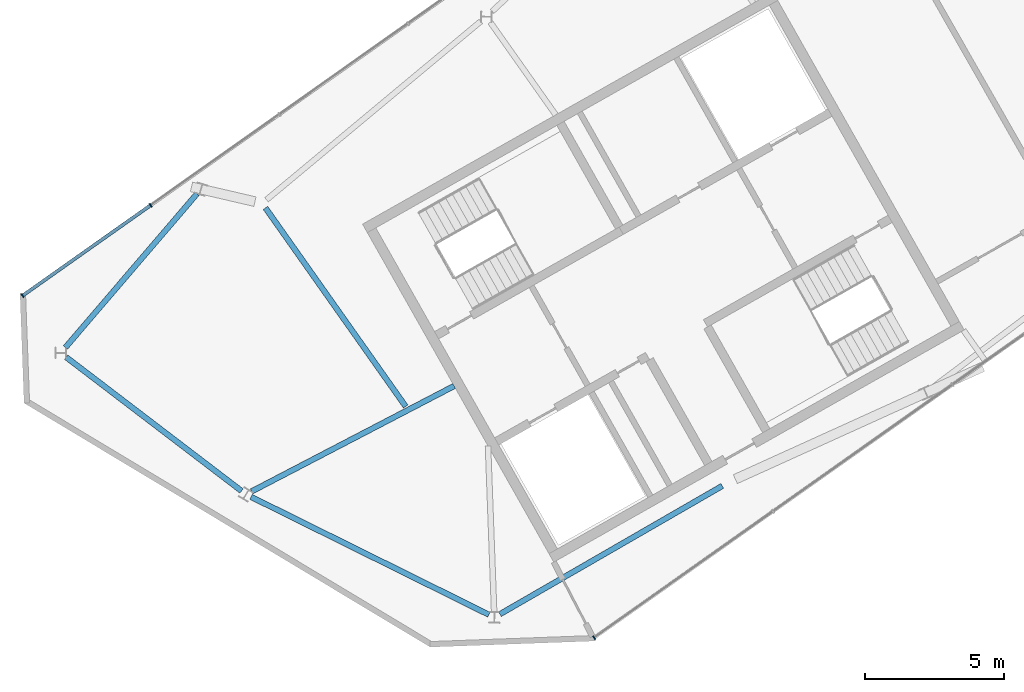
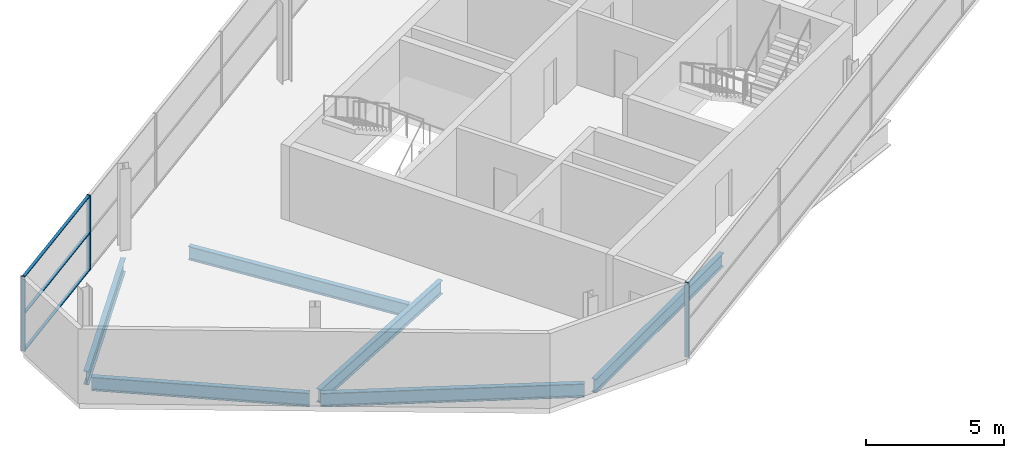
# One storey, part 3 of 11: 6 beams, 6 members, 2 elements without a shape of their own.
"""IFC4 building model written with IfcOpenShell, lengths in metres."""

from ifc_helpers import new_model, si_unit, direction, frame, origin, origin_2d, place, context, subcontext, project, spatial, rectangle, i_section, extrude, material, material_profile, profile_set, type_object, element, aggregate, save


model = new_model("IFC4")

# Units and contexts
model_context = context("Model", 3, precision=1e-05, world=origin(), true_north=direction((0.0, 1.0)))
body_context = subcontext(model_context, "Body", "Model", "MODEL_VIEW")
ifc_project = project(units=[si_unit("LENGTHUNIT", "METRE"), si_unit("AREAUNIT", "SQUARE_METRE"), si_unit("VOLUMEUNIT", "CUBIC_METRE"), si_unit("PLANEANGLEUNIT", "RADIAN"), si_unit("MASSUNIT", "GRAM", prefix="KILO")], contexts=[model_context])

# Site, building, storey
site_placement = place(None, origin())
site = spatial("IfcSite", under=ifc_project, at=site_placement, CompositionType="ELEMENT")
building_placement = place(site_placement, origin())
building = spatial("IfcBuilding", under=site, at=building_placement, Name="Binnacle Exchange Tower", CompositionType="ELEMENT")
storey_placement = place(building_placement, frame((0.0, 0.0, 361.300048828125)))
storey = spatial("IfcBuildingStorey", under=building, at=storey_placement, Name="L83", CompositionType="ELEMENT", Elevation=361.300048828125)

# Curtain wall, members
ifc_material_1 = material(Name="Bronze anodised aluminium frame", Category="aluminium")
curtain_wall_type = type_object("IfcCurtainWallType", Name="External wall - curtain wall crown top", PredefinedType="NOTDEFINED", material=ifc_material_1)
curtain_wall_1_placement = place(storey_placement, origin())
curtain_wall_1 = element("IfcCurtainWall", 1, at=curtain_wall_1_placement, inside=storey, type_object=curtain_wall_type, Name="External wall curtain wall CW6-C303 L83", PredefinedType="NOTDEFINED")
ifc_material_profile_1 = material_profile(ifc_material_1, rectangle(XDim=0.14990234375, YDim=0.050048828125, at=origin_2d()), Name="AL 50x150")
ifc_profile_set_1 = profile_set([ifc_material_profile_1], Name="Bronze anodised aluminium frame")
member_type_1 = type_object("IfcMemberType", Name="CW6 MULLION 50x150", PredefinedType="MULLION", material=ifc_profile_set_1)
member_1_placement = place(storey_placement, frame((-54.24853515625, 42.356201171875, 0.0), z_axis=(0.0, 0.0, 1.0), x_axis=(0.576854127285, -0.816847180221, 0.0)))
member_1 = element("IfcMember", 2, at=member_1_placement, type_object=member_type_1, Name="CW6-C303 mullion 9", PredefinedType="MULLION", context=body_context, shape_type="SweptSolid", body=[
    extrude(rectangle(XDim=0.14990234375, YDim=0.050048828125, at=origin_2d()), origin(), (0.0, 0.0, 1.0), 3.300048828125),
])
member_2_placement = place(storey_placement, frame((-58.86767578125, 39.09423828125, 0.0), z_axis=(0.0, 0.0, 1.0), x_axis=(0.576854127285, -0.816847180221, 0.0)))
member_2 = element("IfcMember", 3, at=member_2_placement, type_object=member_type_1, Name="CW6-C303 mullion 10", PredefinedType="MULLION", context=body_context, shape_type="SweptSolid", body=[
    extrude(rectangle(XDim=0.14990234375, YDim=0.050048828125, at=origin_2d()), origin(), (0.0, 0.0, 1.0), 3.300048828125),
])

# Curtain wall, member
curtain_wall_2_placement = place(storey_placement, origin())
curtain_wall_2 = element("IfcCurtainWall", 4, at=curtain_wall_2_placement, inside=storey, type_object=curtain_wall_type, Name="External wall curtain wall CW6-C307 L83", PredefinedType="NOTDEFINED")
member_3_placement = place(storey_placement, frame((-38.257568359375, 26.76025390625, 0.0), z_axis=(0.0, 0.0, 1.0), x_axis=(-0.576854127285, 0.816847180221, 0.0)))
member_3 = element("IfcMember", 5, at=member_3_placement, type_object=member_type_1, Name="CW6-C307 mullion 1", PredefinedType="MULLION", context=body_context, shape_type="SweptSolid", body=[
    extrude(rectangle(XDim=0.14990234375, YDim=0.050048828125, at=origin_2d()), origin(), (0.0, 0.0, 1.0), 3.300048828125),
])
aggregate(curtain_wall_2, [member_3])

# Member
ifc_material_profile_2 = material_profile(ifc_material_1, rectangle(XDim=0.1201171875, YDim=0.0400390625, at=origin_2d()), Name="AL 120x40")
ifc_profile_set_2 = profile_set([ifc_material_profile_2], Name="Bronze anodised aluminium frame")
member_type_2 = type_object("IfcMemberType", Name="CW6 TRANSOM 40x120", PredefinedType="USERDEFINED", material=ifc_profile_set_2)
member_4_placement = place(storey_placement, frame((-54.26904296875, 42.341796875, 0.02001953125), z_axis=(-0.816838671532, -0.57686617572, 0.0), x_axis=(0.57686617572, -0.816838671532, 0.0)))
member_4 = element("IfcMember", 6, at=member_4_placement, type_object=member_type_2, Name="CW6-C303 transom 9.1", ObjectType="TRANSOM", PredefinedType="USERDEFINED", context=body_context, shape_type="SweptSolid", body=[
    extrude(rectangle(XDim=0.1201171875, YDim=0.0400390625, at=origin_2d()), origin(), (0.0, 0.0, 1.0), 5.604736328125),
])

member_5_placement = place(storey_placement, frame((-54.26904296875, 42.341796875, 1.64990234375), z_axis=(-0.816838671532, -0.57686617572, 0.0), x_axis=(0.57686617572, -0.816838671532, 0.0)))
member_5 = element("IfcMember", 7, at=member_5_placement, type_object=member_type_2, Name="CW6-C303 transom 9.2", ObjectType="TRANSOM", PredefinedType="USERDEFINED", context=body_context, shape_type="SweptSolid", body=[
    extrude(rectangle(XDim=0.1201171875, YDim=0.0400390625, at=origin_2d()), origin(), (0.0, 0.0, 1.0), 5.604736328125),
])

member_6_placement = place(storey_placement, frame((-54.26904296875, 42.341796875, 3.280029296875), z_axis=(-0.816838671532, -0.57686617572, 0.0), x_axis=(0.57686617572, -0.816838671532, 0.0)))
member_6 = element("IfcMember", 8, at=member_6_placement, type_object=member_type_2, Name="CW6-C303 transom 9.3", ObjectType="TRANSOM", PredefinedType="USERDEFINED", context=body_context, shape_type="SweptSolid", body=[
    extrude(rectangle(XDim=0.1201171875, YDim=0.0400390625, at=origin_2d()), origin(), (0.0, 0.0, 1.0), 5.604736328125),
])

aggregate(curtain_wall_1, [member_1, member_2, member_4, member_5, member_6])

# Beams
ifc_material_2 = material(Name="Steel S355 (SHN355)", Category="steel")
ifc_material_profile_3 = material_profile(ifc_material_2, i_section(OverallWidth=0.199951171875, OverallDepth=0.60009765625, WebThickness=0.010986328125, FlangeThickness=0.01708984375, FilletRadius=0.02197265625, at=origin_2d()), Name="H 600x200x11x17")
ifc_profile_set_3 = profile_set([ifc_material_profile_3], Name="Steel S355 (SHN355)")
beam_type_1 = type_object("IfcBeamType", Name="Edge girder H 600x200x11x17 Steel S355 (SHN355)", PredefinedType="SPANDREL", material=ifc_profile_set_3)
beam_1_placement = place(storey_placement, frame((-57.294921875, 36.876220703125, -0.60009765625), z_axis=(0.795084866739, -0.606498190173, 0.0), x_axis=(0.606498190173, 0.795084866739, 0.0)))
element("IfcBeam", 9, at=beam_1_placement, inside=storey, type_object=beam_type_1, Name="S:BM:edge:L83:011", PredefinedType="SPANDREL", context=body_context, shape_type="SweptSolid", body=[
    extrude(i_section(OverallWidth=0.199951171875, OverallDepth=0.60009765625, WebThickness=0.010986328125, FlangeThickness=0.01708984375, FilletRadius=0.02197265625, at=origin_2d()), origin(), (0.0, 0.0, 1.0), 7.95263671875),
])
beam_2_placement = place(storey_placement, frame((-52.5771484375, 42.769775390625, -0.60009765625), z_axis=(-0.650317450045, -0.75966256599, 0.0), x_axis=(0.75966256599, -0.650317450045, 0.0)))
element("IfcBeam", 10, at=beam_2_placement, inside=storey, type_object=beam_type_1, Name="S:BM:edge:L83:012", PredefinedType="SPANDREL", context=body_context, shape_type="SweptSolid", body=[
    extrude(i_section(OverallWidth=0.199951171875, OverallDepth=0.60009765625, WebThickness=0.010986328125, FlangeThickness=0.01708984375, FilletRadius=0.02197265625, at=origin_2d()), origin(), (0.0, 0.0, 1.0), 7.298828125),
])
beam_3_placement = place(storey_placement, frame((-50.632080078125, 31.841796875, -0.60009765625), z_axis=(0.8960639995, -0.443924890944, 0.0), x_axis=(0.443924890944, 0.8960639995, 0.0)))
element("IfcBeam", 11, at=beam_3_placement, inside=storey, type_object=beam_type_1, Name="S:BM:edge:L83:013", PredefinedType="SPANDREL", context=body_context, shape_type="SweptSolid", body=[
    extrude(i_section(OverallWidth=0.199951171875, OverallDepth=0.60009765625, WebThickness=0.010986328125, FlangeThickness=0.01708984375, FilletRadius=0.02197265625, at=origin_2d()), origin(), (0.0, 0.0, 1.0), 9.5703125),
])
beam_4_placement = place(storey_placement, frame((-41.65625, 27.611083984375, -0.60009765625), z_axis=(0.866222915355, 0.499657743774, 0.0), x_axis=(-0.499657743774, 0.866222915355, 0.0)))
element("IfcBeam", 12, at=beam_4_placement, inside=storey, type_object=beam_type_1, Name="S:BM:edge:L83:015", PredefinedType="SPANDREL", context=body_context, shape_type="SweptSolid", body=[
    extrude(i_section(OverallWidth=0.199951171875, OverallDepth=0.60009765625, WebThickness=0.010986328125, FlangeThickness=0.01708984375, FilletRadius=0.02197265625, at=origin_2d()), origin(), (0.0, 0.0, 1.0), 9.25439453125),
])
ifc_material_profile_4 = material_profile(ifc_material_2, i_section(OverallWidth=0.199951171875, OverallDepth=0.60009765625, WebThickness=0.010986328125, FlangeThickness=0.01708984375, FilletRadius=0.02197265625, at=origin_2d()), Name="H 600x200x11x17")
ifc_profile_set_4 = profile_set([ifc_material_profile_4], Name="Steel S355 (SHN355)")
beam_type_2 = type_object("IfcBeamType", Name="Floor beam H 600x200x11x17 Steel S355 (SHN355)", PredefinedType="BEAM", material=ifc_profile_set_4)
beam_5_placement = place(storey_placement, frame((-50.110107421875, 42.2587890625, -0.60009765625), z_axis=(0.576843899706, -0.816854402799, 0.0), x_axis=(0.816854402799, 0.576843899706, 0.0)))
element("IfcBeam", 13, at=beam_5_placement, inside=storey, type_object=beam_type_2, Name="S:BM:cross:L83:020", PredefinedType="BEAM", context=body_context, shape_type="SweptSolid", body=[
    extrude(i_section(OverallWidth=0.199951171875, OverallDepth=0.60009765625, WebThickness=0.010986328125, FlangeThickness=0.01708984375, FilletRadius=0.02197265625, at=origin_2d()), origin(), (0.0, 0.0, 1.0), 8.767333984375),
])
ifc_material_profile_5 = material_profile(ifc_material_2, i_section(OverallWidth=0.199951171875, OverallDepth=0.60009765625, WebThickness=0.010986328125, FlangeThickness=0.01708984375, FilletRadius=0.02197265625, at=origin_2d()), Name="H 600x200x11x17")
ifc_profile_set_5 = profile_set([ifc_material_profile_5], Name="Steel S355 (SHN355)")
beam_type_3 = type_object("IfcBeamType", Name="Spine girder H 600x200x11x17 Steel S355 (SHN355)", PredefinedType="BEAM", material=ifc_profile_set_5)
beam_6_placement = place(storey_placement, frame((-50.60400390625, 32.039306640625, -0.60009765625), z_axis=(0.886982470593, 0.461803093168, 0.0), x_axis=(-0.461803093168, 0.886982470593, 0.0)))
element("IfcBeam", 14, at=beam_6_placement, inside=storey, type_object=beam_type_3, Name="S:BM:spine:L83:007", PredefinedType="BEAM", context=body_context, shape_type="SweptSolid", body=[
    extrude(i_section(OverallWidth=0.199951171875, OverallDepth=0.60009765625, WebThickness=0.010986328125, FlangeThickness=0.01708984375, FilletRadius=0.02197265625, at=origin_2d()), origin(), (0.0, 0.0, 1.0), 8.22607421875),
])

save(model, "model.ifc")
